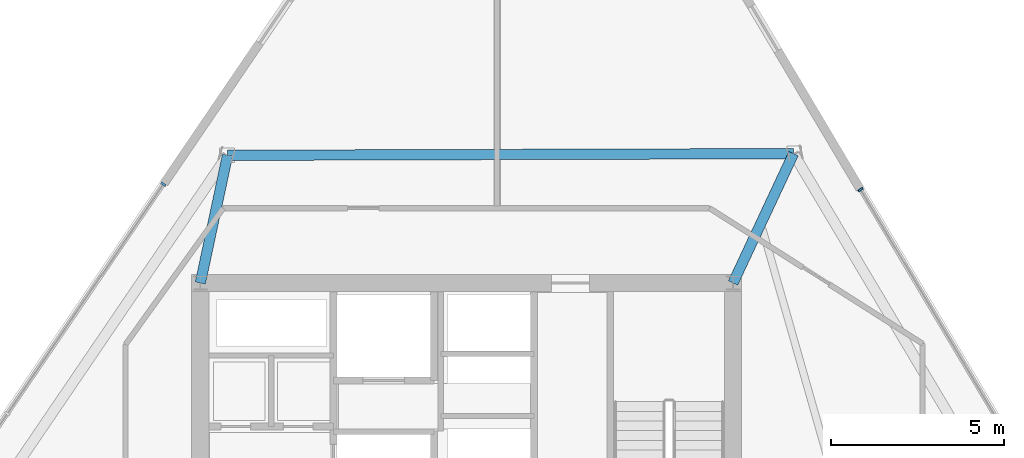
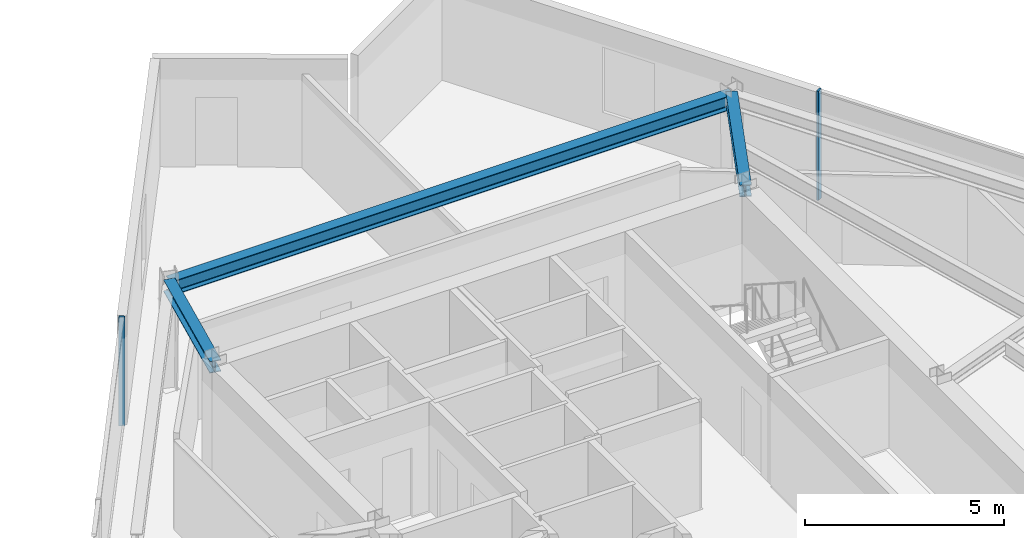
# One storey, part 7 of 16: 3 beams, 2 members, 2 elements without a shape of their own.
"""IFC4 building model written with IfcOpenShell, lengths in metres."""

from ifc_helpers import new_model, si_unit, direction, frame, origin, origin_2d, place, context, subcontext, project, spatial, rectangle, i_section, extrude, material, material_profile, profile_set, type_object, element, aggregate, save


model = new_model("IFC4")

# Units and contexts
model_context = context("Model", 3, precision=1e-05, world=origin(), true_north=direction((0.0, 1.0)))
body_context = subcontext(model_context, "Body", "Model", "MODEL_VIEW")
ifc_project = project(units=[si_unit("LENGTHUNIT", "METRE"), si_unit("AREAUNIT", "SQUARE_METRE"), si_unit("VOLUMEUNIT", "CUBIC_METRE"), si_unit("PLANEANGLEUNIT", "RADIAN"), si_unit("MASSUNIT", "GRAM", prefix="KILO")], contexts=[model_context])

# Site, building, storey
site_placement = place(None, origin())
site = spatial("IfcSite", under=ifc_project, at=site_placement, CompositionType="ELEMENT")
building_placement = place(site_placement, origin())
building = spatial("IfcBuilding", under=site, at=building_placement, Name="Savorim Split Tower", CompositionType="ELEMENT")
storey_placement = place(building_placement, frame((0.0, 0.0, 149.39990234375)))
storey = spatial("IfcBuildingStorey", under=building, at=storey_placement, Name="L39", CompositionType="ELEMENT", Elevation=149.39990234375)

# Beams
ifc_material_1 = material(Name="Steel S355", Category="steel")
ifc_material_profile_1 = material_profile(ifc_material_1, i_section(OverallWidth=0.300048828125, OverallDepth=0.360107421875, WebThickness=0.012451171875, FlangeThickness=0.0224609375, FilletRadius=0.027099609375, at=origin_2d()), Name="HEB 360")
ifc_profile_set_1 = profile_set([ifc_material_profile_1], Name="Steel S355")
beam_type_1 = type_object("IfcBeamType", Name="BM-PRI-HEB360", PredefinedType="BEAM", material=ifc_profile_set_1)
beam_1_placement = place(storey_placement, frame((9.448486328125, 13.93896484375, 3.170166015625), z_axis=(-0.423613878181, -0.90584285735, 0.0), x_axis=(0.90584285735, -0.423613878181, 0.0)))
element("IfcBeam", 1, at=beam_1_placement, inside=storey, type_object=beam_type_1, Name="L39 Primary Floor Girder RG-07", PredefinedType="BEAM", context=body_context, shape_type="SweptSolid", body=[
    extrude(i_section(OverallWidth=0.300048828125, OverallDepth=0.360107421875, WebThickness=0.012451171875, FlangeThickness=0.0224609375, FilletRadius=0.027099609375, at=origin_2d()), origin(), (0.0, 0.0, 1.0), 4.127685546875),
])
beam_2_placement = place(storey_placement, frame((-6.91455078125, 13.89013671875, 3.170166015625), z_axis=(-0.208172185897, -0.978092194539, 0.0), x_axis=(0.978092194539, -0.208172185897, 0.0)))
element("IfcBeam", 2, at=beam_2_placement, inside=storey, type_object=beam_type_1, Name="L39 Primary Floor Girder RG-08", PredefinedType="BEAM", context=body_context, shape_type="SweptSolid", body=[
    extrude(i_section(OverallWidth=0.300048828125, OverallDepth=0.360107421875, WebThickness=0.012451171875, FlangeThickness=0.0224609375, FilletRadius=0.027099609375, at=origin_2d()), origin(), (0.0, 0.0, 1.0), 3.77294921875),
])
ifc_material_profile_2 = material_profile(ifc_material_1, i_section(OverallWidth=0.300048828125, OverallDepth=0.43994140625, WebThickness=0.011474609375, FlangeThickness=0.02099609375, FilletRadius=0.027099609375, at=origin_2d()), Name="HEA 450")
ifc_profile_set_2 = profile_set([ifc_material_profile_2], Name="Steel S355")
beam_type_2 = type_object("IfcBeamType", Name="BM-SPN-HEA450", PredefinedType="SPANDREL", material=ifc_profile_set_2)
beam_3_placement = place(storey_placement, frame((9.448486328125, 13.93896484375, 3.130126953125), z_axis=(-0.999995547752, -0.002984036966, 0.0), x_axis=(0.002984036966, -0.999995547752, 0.0)))
element("IfcBeam", 3, at=beam_3_placement, inside=storey, type_object=beam_type_2, Name="L39 Perimeter Spandrel Beam 7", PredefinedType="SPANDREL", context=body_context, shape_type="SweptSolid", body=[
    extrude(i_section(OverallWidth=0.300048828125, OverallDepth=0.43994140625, WebThickness=0.011474609375, FlangeThickness=0.02099609375, FilletRadius=0.027099609375, at=origin_2d()), origin(), (0.0, 0.0, 1.0), 16.363037109375),
])

# Curtain wall, member
ifc_material_2 = material(Name="Dark Ceramic-Fritted Insulated Glass", Category="glass")
curtain_wall_type = type_object("IfcCurtainWallType", Name="CW-TWR-FRIT-B", PredefinedType="NOTDEFINED", material=ifc_material_2)
curtain_wall_1_placement = place(storey_placement, origin())
curtain_wall_1 = element("IfcCurtainWall", 4, at=curtain_wall_1_placement, inside=storey, type_object=curtain_wall_type, Name="L39 Curtain Wall CW-L39-EAST", PredefinedType="NOTDEFINED")
ifc_material_3 = material(Name="Charcoal Anodised Aluminium", Category="aluminium")
ifc_material_profile_3 = material_profile(ifc_material_3, rectangle(XDim=0.159912109375, YDim=0.06005859375, at=origin_2d()), Name="ALU-M 160x60")
ifc_profile_set_3 = profile_set([ifc_material_profile_3], Name="Charcoal Anodised Aluminium")
member_type = type_object("IfcMemberType", Name="CWM-160x60", PredefinedType="MULLION", material=ifc_profile_set_3)
member_1_placement = place(storey_placement, frame((11.3857421875, 12.900390625, 0.0), z_axis=(0.0, 0.0, 1.0), x_axis=(-0.859526328423, -0.511091470039, 0.0)))
member_1 = element("IfcMember", 5, at=member_1_placement, type_object=member_type, Name="CW-03 mullion 5", PredefinedType="MULLION", context=body_context, shape_type="SweptSolid", body=[
    extrude(rectangle(XDim=0.159912109375, YDim=0.06005859375, at=origin_2d()), origin(), (0.0, 0.0, 1.0), 3.35009765625),
])
aggregate(curtain_wall_1, [member_1])

curtain_wall_2_placement = place(storey_placement, origin())
curtain_wall_2 = element("IfcCurtainWall", 6, at=curtain_wall_2_placement, inside=storey, type_object=curtain_wall_type, Name="L39 Curtain Wall CW-L39-WEST", PredefinedType="NOTDEFINED")
member_2_placement = place(storey_placement, frame((-8.767333984375, 13.05615234375, 0.0), z_axis=(0.0, 0.0, 1.0), x_axis=(0.826820104662, -0.562466456356, 0.0)))
member_2 = element("IfcMember", 7, at=member_2_placement, type_object=member_type, Name="CW-03 mullion 1", PredefinedType="MULLION", context=body_context, shape_type="SweptSolid", body=[
    extrude(rectangle(XDim=0.159912109375, YDim=0.06005859375, at=origin_2d()), origin(), (0.0, 0.0, 1.0), 3.35009765625),
])
aggregate(curtain_wall_2, [member_2])

save(model, "model.ifc")
